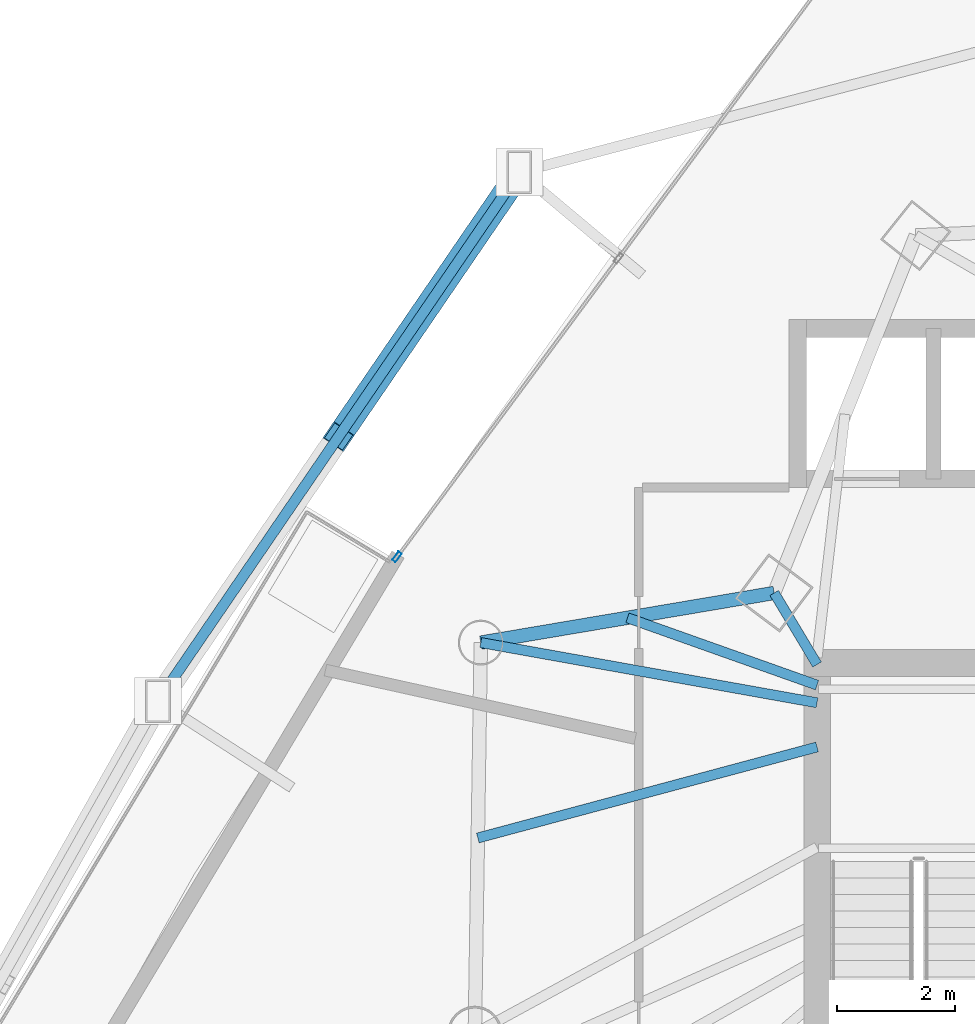
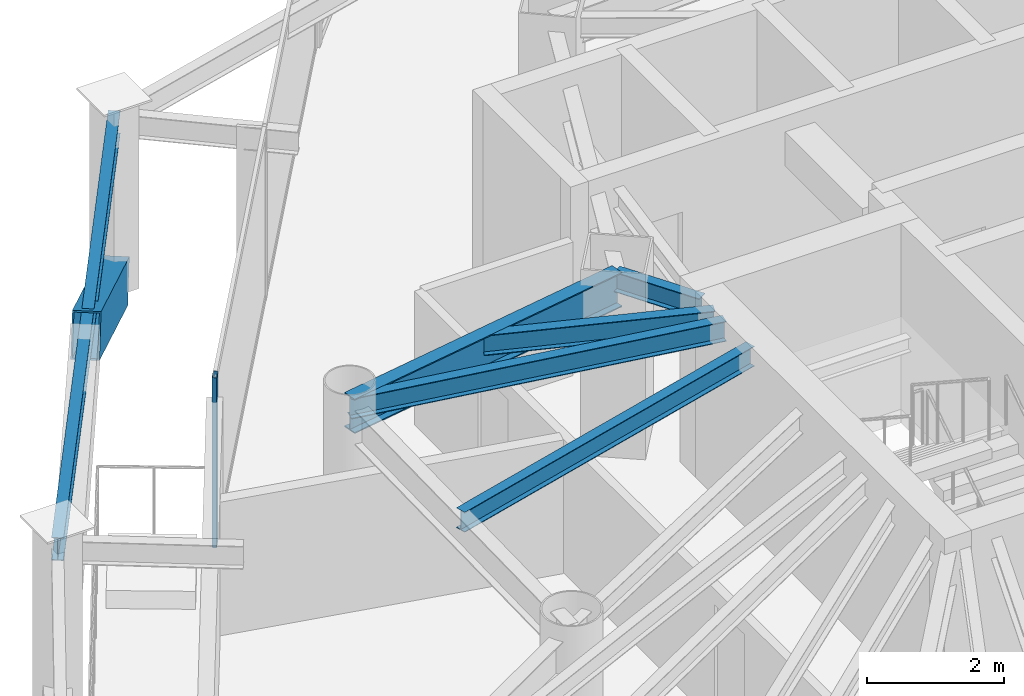
# One storey, part 23 of 38: 6 beams, 2 members, 1 element without a shape of its own.
"""IFC4 building model written with IfcOpenShell, lengths in metres."""

from ifc_helpers import new_model, si_unit, direction, frame, origin, origin_2d, place, context, subcontext, project, spatial, hollow_rectangle, i_section, extrude, material, layer, layer_set, material_profile, profile_set, type_object, element, aggregate, save


model = new_model("IFC4")

# Units and contexts
model_context = context("Model", 3, precision=1e-05, world=origin(), true_north=direction((0.0, 1.0)))
body_context = subcontext(model_context, "Body", "Model", "MODEL_VIEW")
ifc_project = project(units=[si_unit("LENGTHUNIT", "METRE"), si_unit("AREAUNIT", "SQUARE_METRE"), si_unit("VOLUMEUNIT", "CUBIC_METRE"), si_unit("PLANEANGLEUNIT", "RADIAN"), si_unit("MASSUNIT", "GRAM", prefix="KILO")], contexts=[model_context])

# Site, building, storey
site_placement = place(None, origin())
site = spatial("IfcSite", under=ifc_project, at=site_placement, CompositionType="ELEMENT")
building_placement = place(site_placement, origin())
building = spatial("IfcBuilding", under=site, at=building_placement, Name="Orvanel Arch Residences", CompositionType="ELEMENT")
storey_placement = place(building_placement, frame((0.0, 0.0, 56.60009765625)))
storey = spatial("IfcBuildingStorey", under=building, at=storey_placement, Name="L15", CompositionType="ELEMENT", Elevation=56.60009765625)

# Beams
ifc_material_1 = material(Name="Structural steel AS/NZS 3679.1 Grade 300 (300 MPa)", Category="steel")
ifc_material_profile_1 = material_profile(ifc_material_1, i_section(OverallWidth=0.1708984375, OverallDepth=0.35595703125, WebThickness=0.00732421875, FlangeThickness=0.011474609375, at=origin_2d()), Name="360UB50.7")
ifc_profile_set_1 = profile_set([ifc_material_profile_1], Name="Structural steel AS/NZS 3679.1 Grade 300 (300 MPa)")
beam_type_1 = type_object("IfcBeamType", Name="BJ-360UB", PredefinedType="JOIST", material=ifc_profile_set_1)
beam_1_placement = place(storey_placement, frame((26.375, 33.89990234375, 2.841796875), z_axis=(-0.514064138778, 0.857751748015, 0.0), x_axis=(-0.857751748015, -0.514064138778, 0.0)))
element("IfcBeam", 1, at=beam_1_placement, inside=storey, type_object=beam_type_1, Name="L15 NNW Wing Floor Joist", PredefinedType="JOIST", context=body_context, shape_type="SweptSolid", body=[
    extrude(i_section(OverallWidth=0.1708984375, OverallDepth=0.35595703125, WebThickness=0.00732421875, FlangeThickness=0.011474609375, at=origin_2d()), origin(), (0.0, 0.0, 1.0), 1.414306640625),
])
beam_2_placement = place(storey_placement, frame((26.375, 32.5, 2.841796875), z_axis=(-0.965844838168, -0.259121107949, 0.0), x_axis=(0.259121107949, -0.965844838168, 0.0)))
element("IfcBeam", 2, at=beam_2_placement, inside=storey, type_object=beam_type_1, Name="L15 WNW Wing Floor Joist", PredefinedType="JOIST", context=body_context, shape_type="SweptSolid", body=[
    extrude(i_section(OverallWidth=0.1708984375, OverallDepth=0.35595703125, WebThickness=0.00732421875, FlangeThickness=0.011474609375, at=origin_2d()), origin(), (0.0, 0.0, 1.0), 5.95849609375),
])
beam_3_placement = place(storey_placement, frame((26.375, 33.25, 2.841796875), z_axis=(-0.984360855662, 0.176163860766, 0.0), x_axis=(-0.176163860766, -0.984360855662, 0.0)))
element("IfcBeam", 3, at=beam_3_placement, inside=storey, type_object=beam_type_1, Name="L15 LW Wing Floor Joist", PredefinedType="JOIST", context=body_context, shape_type="SweptSolid", body=[
    extrude(i_section(OverallWidth=0.1708984375, OverallDepth=0.35595703125, WebThickness=0.00732421875, FlangeThickness=0.011474609375, at=origin_2d()), origin(), (0.0, 0.0, 1.0), 5.795654296875),
])
beam_4_placement = place(storey_placement, frame((26.375, 33.550048828125, 2.841796875), z_axis=(-0.942366638377, 0.334582006201, 0.0), x_axis=(-0.334582006201, -0.942366638377, 0.0)))
element("IfcBeam", 4, at=beam_4_placement, inside=storey, type_object=beam_type_1, Name="L15 JADD3 Wing Floor Joist", PredefinedType="JOIST", context=body_context, shape_type="SweptSolid", body=[
    extrude(i_section(OverallWidth=0.1708984375, OverallDepth=0.35595703125, WebThickness=0.00732421875, FlangeThickness=0.011474609375, at=origin_2d()), origin(), (0.0, 0.0, 1.0), 3.412841796875),
])

# Member
ifc_material_2 = material(Name="Structural steel AS/NZS 3678 Grade 350", Category="steel")
ifc_material_profile_2 = material_profile(ifc_material_2, hollow_rectangle(XDim=0.419921875, YDim=0.719970703125, WallThickness=0.02490234375, at=origin_2d()), Name="RHS720x420x25")
ifc_profile_set_2 = profile_set([ifc_material_profile_2], Name="Structural steel AS/NZS 3678 Grade 350")
member_type_1 = type_object("IfcMemberType", Name="BR-720RHS-EXT", PredefinedType="BRACE", material=ifc_profile_set_2)
member_1_placement = place(storey_placement, frame((21.323974609375, 42.251953125, 0.0), z_axis=(-0.500946211693, -0.732949967642, 0.460257795072), x_axis=(0.825593707019, -0.56426503607, 0.0)))
element("IfcMember", 5, at=member_1_placement, inside=storey, type_object=member_type_1, Name="L15 Exterior Sky-Garden V-Frame Chevron F1B1.1", PredefinedType="BRACE", context=body_context, shape_type="SweptSolid", body=[
    extrude(hollow_rectangle(XDim=0.419921875, YDim=0.719970703125, WallThickness=0.02490234375, at=origin_2d()), origin(), (0.0, 0.0, 1.0), 6.120361328125),
])

# Curtain wall, member
ifc_material_3 = material(Name="Bronze-anodised aluminium AA6063-T6", Category="aluminium")
ifc_layer = layer(ifc_material_3, 0.179931640625)
ifc_layer_set = layer_set([ifc_layer], Name="Bronze-anodised aluminium AA6063-T6")
curtain_wall_type = type_object("IfcCurtainWallType", Name="CW2-LOW-SYS", PredefinedType="NOTDEFINED", material=ifc_layer_set)
curtain_wall_placement = place(storey_placement, origin())
curtain_wall = element("IfcCurtainWall", 6, at=curtain_wall_placement, inside=storey, type_object=curtain_wall_type, Name="L15 CW2-LOW-SYS Unitised Curtain Wall", PredefinedType="NOTDEFINED")
ifc_material_profile_3 = material_profile(ifc_material_3, hollow_rectangle(XDim=0.070068359375, YDim=0.179931640625, WallThickness=0.00439453125, at=origin_2d()), Name="ALU180x70x4.5")
ifc_profile_set_3 = profile_set([ifc_material_profile_3], Name="Bronze-anodised aluminium AA6063-T6")
member_type_2 = type_object("IfcMemberType", Name="MUL-180x70", PredefinedType="MULLION", material=ifc_profile_set_3)
member_2_placement = place(storey_placement, frame((19.247802734375, 35.72509765625, 0.0), z_axis=(0.0, 0.0, 1.0), x_axis=(0.803233082468, -0.595664851429, 0.0)))
member_2 = element("IfcMember", 7, at=member_2_placement, type_object=member_type_2, Name="CW-S2 mullion 3", PredefinedType="MULLION", context=body_context, shape_type="SweptSolid", body=[
    extrude(hollow_rectangle(XDim=0.070068359375, YDim=0.179931640625, WallThickness=0.00439453125, at=origin_2d()), origin(), (0.0, 0.0, 1.0), 3.02001953125),
])
aggregate(curtain_wall, [member_2])

# Beams
ifc_material_profile_4 = material_profile(ifc_material_1, i_section(OverallWidth=0.177978515625, OverallDepth=0.406005859375, WebThickness=0.0078125, FlangeThickness=0.0126953125, at=origin_2d()), Name="410UB59.7")
ifc_profile_set_4 = profile_set([ifc_material_profile_4], Name="Structural steel AS/NZS 3679.1 Grade 300 (300 MPa)")
beam_type_2 = type_object("IfcBeamType", Name="OB-410UB-EXT", PredefinedType="SPANDREL", material=ifc_profile_set_4)
beam_5_placement = place(storey_placement, frame((21.323974609375, 42.251953125, 2.81689453125), z_axis=(-0.564228022411, -0.825619003371, 0.0), x_axis=(0.825619003371, -0.564228022411, 0.0)))
element("IfcBeam", 8, at=beam_5_placement, inside=storey, type_object=beam_type_2, Name="L15 Outer Perimeter Floor Ring Beam 01", PredefinedType="SPANDREL", context=body_context, shape_type="SweptSolid", body=[
    extrude(i_section(OverallWidth=0.177978515625, OverallDepth=0.406005859375, WebThickness=0.0078125, FlangeThickness=0.0126953125, at=origin_2d()), origin(), (0.0, 0.0, 1.0), 10.8681640625),
])
ifc_material_profile_5 = material_profile(ifc_material_1, i_section(OverallWidth=0.22900390625, OverallDepth=0.612060546875, WebThickness=0.011962890625, FlangeThickness=0.01953125, at=origin_2d()), Name="610UB125")
ifc_profile_set_5 = profile_set([ifc_material_profile_5], Name="Structural steel AS/NZS 3679.1 Grade 300 (300 MPa)")
beam_type_3 = type_object("IfcBeamType", Name="SP-610UB", PredefinedType="SPANDREL", material=ifc_profile_set_5)
beam_6_placement = place(storey_placement, frame((25.64794921875, 35.113037109375, 2.7138671875), z_axis=(-0.985993733897, -0.166782363326, 0.0), x_axis=(0.166782363326, -0.985993733897, 0.0)))
element("IfcBeam", 9, at=beam_6_placement, inside=storey, type_object=beam_type_3, Name="L15 Perimeter Spandrel Beam 19", PredefinedType="SPANDREL", context=body_context, shape_type="SweptSolid", body=[
    extrude(i_section(OverallWidth=0.22900390625, OverallDepth=0.612060546875, WebThickness=0.011962890625, FlangeThickness=0.01953125, at=origin_2d()), origin(), (0.0, 0.0, 1.0), 5.048828125),
])

save(model, "model.ifc")
